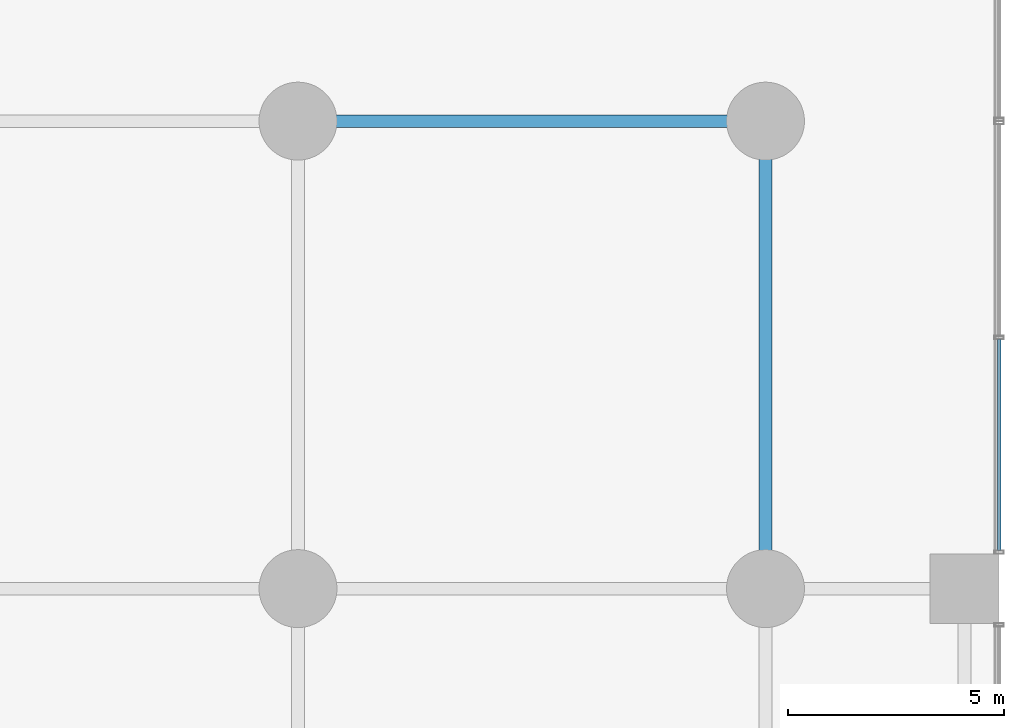
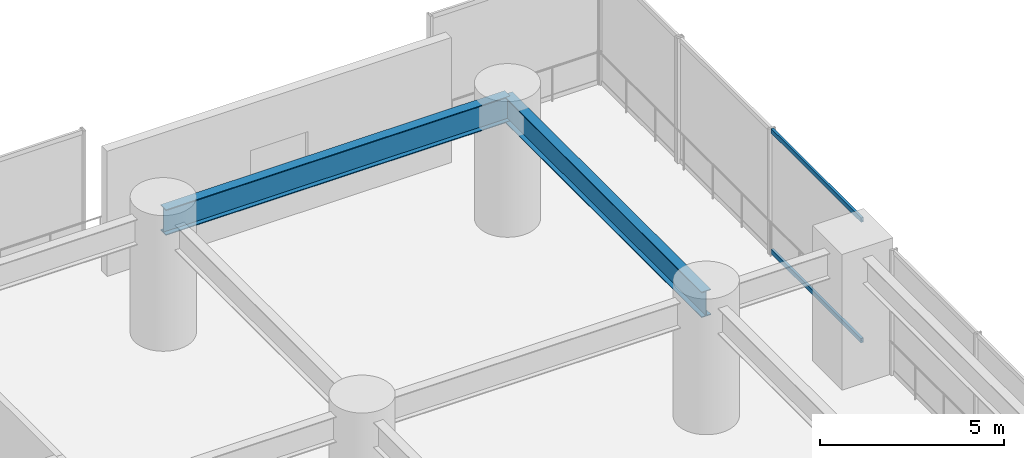
# One storey, part 24 of 35: 2 beams, 2 members, 1 element without a shape of its own.
"""IFC4 building model written with IfcOpenShell, lengths in metres."""

from ifc_helpers import new_model, si_unit, direction, frame, origin, origin_2d, place, context, subcontext, project, spatial, hollow_rectangle, i_section, extrude, material, layer, layer_set, material_profile, profile_set, type_object, element, aggregate, save


model = new_model("IFC4")

# Units and contexts
model_context = context("Model", 3, precision=1e-05, world=origin(), true_north=direction((0.0, 1.0)))
body_context = subcontext(model_context, "Body", "Model", "MODEL_VIEW")
ifc_project = project(units=[si_unit("LENGTHUNIT", "METRE"), si_unit("AREAUNIT", "SQUARE_METRE"), si_unit("VOLUMEUNIT", "CUBIC_METRE"), si_unit("PLANEANGLEUNIT", "RADIAN"), si_unit("MASSUNIT", "GRAM", prefix="KILO")], contexts=[model_context])

# Site, building, storey
site_placement = place(None, origin())
site = spatial("IfcSite", under=ifc_project, at=site_placement, CompositionType="ELEMENT")
building_placement = place(site_placement, origin())
building = spatial("IfcBuilding", under=site, at=building_placement, Name="Surkhivell Harbour Commons", CompositionType="ELEMENT")
storey_placement = place(building_placement, frame((0.0, 0.0, 13.5)))
storey = spatial("IfcBuildingStorey", under=building, at=storey_placement, Name="L03", CompositionType="ELEMENT", Elevation=13.5)

# Beams
ifc_material_1 = material(Name="Steel S460", Category="steel")
ifc_material_profile_1 = material_profile(ifc_material_1, i_section(OverallWidth=0.2939453125, OverallDepth=0.85107421875, WebThickness=0.01611328125, FlangeThickness=0.02685546875, at=origin_2d()), Name="UB838x292x226")
ifc_profile_set_1 = profile_set([ifc_material_profile_1], Name="Steel S460")
beam_type = type_object("IfcBeamType", Name="BM-SPN-838", PredefinedType="SPANDREL", material=ifc_profile_set_1)
beam_1_placement = place(storey_placement, frame((21.60009765625, 21.60009765625, 3.724609375), z_axis=(1.0, 0.0, 0.0), x_axis=(0.0, 1.0, 0.0)))
element("IfcBeam", 1, at=beam_1_placement, inside=storey, type_object=beam_type, Name="L03 Framing Beam (21.6,21.6)", PredefinedType="SPANDREL", context=body_context, shape_type="SweptSolid", body=[
    extrude(i_section(OverallWidth=0.2939453125, OverallDepth=0.85107421875, WebThickness=0.01611328125, FlangeThickness=0.02685546875, at=origin_2d()), origin(), (0.0, 0.0, 1.0), 10.7998046875),
])
beam_2_placement = place(storey_placement, frame((32.39990234375, 10.800048828125, 3.724609375), z_axis=(0.0, 1.0, 0.0), x_axis=(-1.0, 0.0, 0.0)))
element("IfcBeam", 2, at=beam_2_placement, inside=storey, type_object=beam_type, Name="L03 Framing Beam (32.4,10.8)", PredefinedType="SPANDREL", context=body_context, shape_type="SweptSolid", body=[
    extrude(i_section(OverallWidth=0.2939453125, OverallDepth=0.85107421875, WebThickness=0.01611328125, FlangeThickness=0.02685546875, at=origin_2d()), origin(), (0.0, 0.0, 1.0), 10.800048828125),
])

# Curtain wall, members
ifc_material_2 = material(Name="Anodised pale-metal aluminium and insulated glazing", Category="aluminium")
ifc_layer = layer(ifc_material_2, 0.239990234375)
ifc_layer_set = layer_set([ifc_layer], Name="Anodised pale-metal aluminium and insulated glazing")
curtain_wall_type = type_object("IfcCurtainWallType", Name="CW-SYS-POD", PredefinedType="NOTDEFINED", material=ifc_layer_set)
curtain_wall_placement = place(storey_placement, origin())
curtain_wall = element("IfcCurtainWall", 3, at=curtain_wall_placement, inside=storey, type_object=curtain_wall_type, Name="L03 Curtain Wall CW-L03-E5", PredefinedType="NOTDEFINED")
ifc_material_3 = material(Name="Anodised pale-metal aluminium alloy 6063-T6", Category="aluminium")
ifc_material_profile_2 = material_profile(ifc_material_3, hollow_rectangle(XDim=0.074951171875, YDim=0.14990234375, WallThickness=0.00341796875, at=origin_2d()), Name="ALU-TRAN-75x150")
ifc_profile_set_2 = profile_set([ifc_material_profile_2], Name="Anodised pale-metal aluminium alloy 6063-T6")
member_type = type_object("IfcMemberType", Name="CWT-150", PredefinedType="USERDEFINED", material=ifc_profile_set_2)
member_1_placement = place(storey_placement, frame((37.800048828125, 16.5634765625, 0.074951171875), z_axis=(0.0, -1.0, 0.0), x_axis=(1.0, 0.0, 0.0)))
member_1 = element("IfcMember", 4, at=member_1_placement, type_object=member_type, Name="CW-POD transom 2.1", ObjectType="TRANSOM", PredefinedType="USERDEFINED", context=body_context, shape_type="SweptSolid", body=[
    extrude(hollow_rectangle(XDim=0.074951171875, YDim=0.14990234375, WallThickness=0.00341796875, at=origin_2d()), origin(), (0.0, 0.0, 1.0), 4.886474609375),
])
member_2_placement = place(storey_placement, frame((37.800048828125, 16.5634765625, 4.074951171875), z_axis=(0.0, -1.0, 0.0), x_axis=(1.0, 0.0, 0.0)))
member_2 = element("IfcMember", 5, at=member_2_placement, type_object=member_type, Name="CW-POD transom 2.2", ObjectType="TRANSOM", PredefinedType="USERDEFINED", context=body_context, shape_type="SweptSolid", body=[
    extrude(hollow_rectangle(XDim=0.074951171875, YDim=0.14990234375, WallThickness=0.00341796875, at=origin_2d()), origin(), (0.0, 0.0, 1.0), 4.886474609375),
])
aggregate(curtain_wall, [member_1, member_2])

save(model, "model.ifc")
